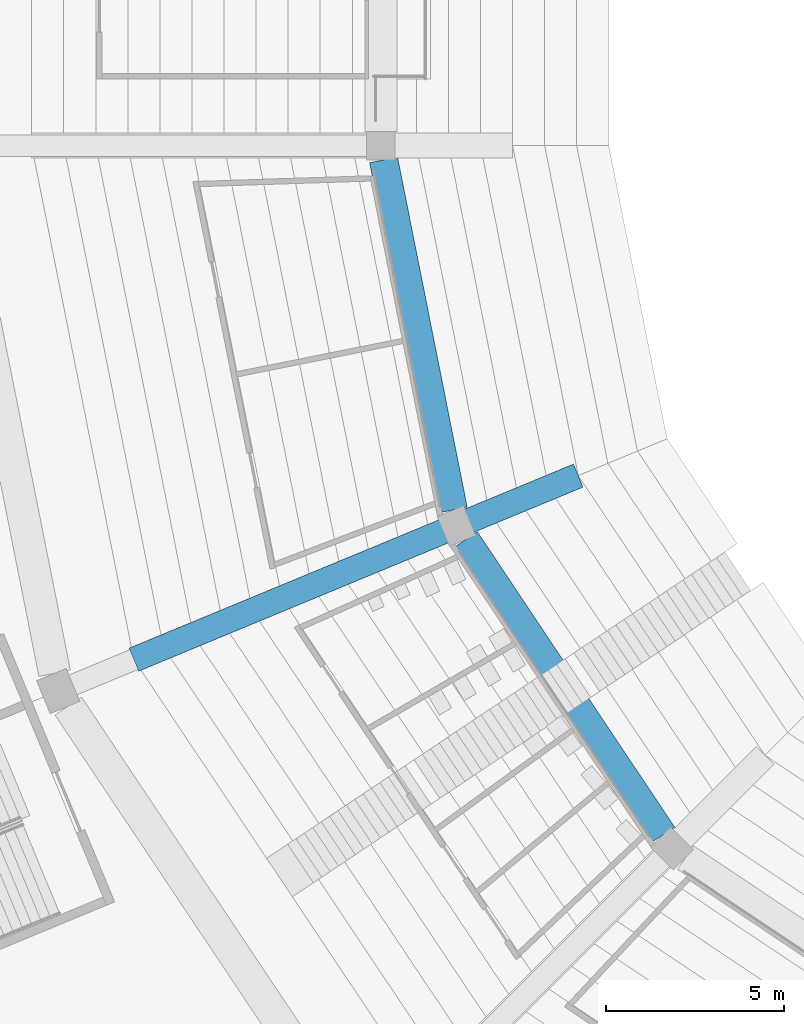
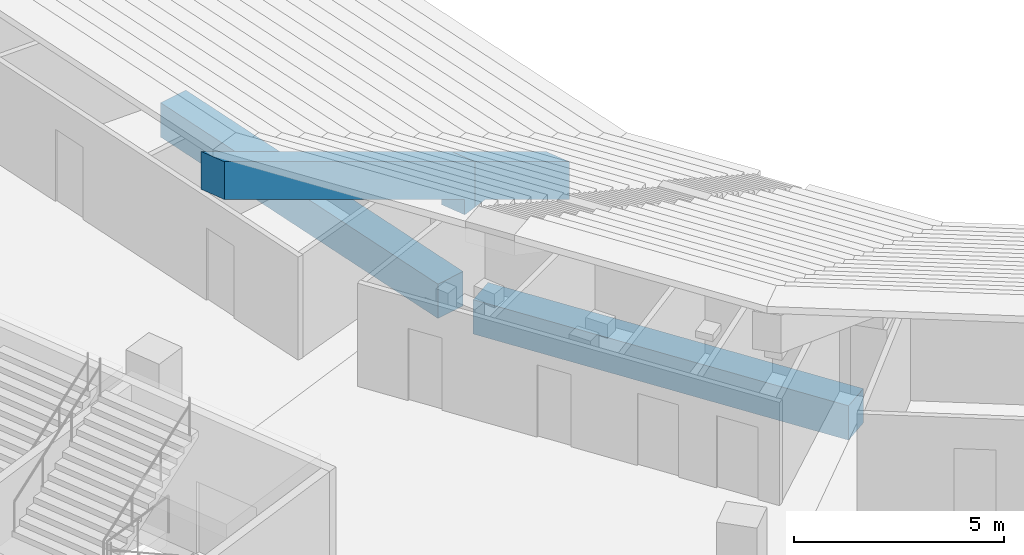
# One storey, part 9 of 249: 4 beams.
"""IFC4 building model written with IfcOpenShell, lengths in metres."""

from ifc_helpers import new_model, si_unit, direction, frame, origin, origin_2d, place, context, subcontext, project, spatial, polyline, rectangle, outline, extrude, material, material_profile, profile_set, type_object, element, save


model = new_model("IFC4")

# Units and contexts
model_context = context("Model", 3, precision=1e-05, world=origin(), true_north=direction((0.0, 1.0)))
body_context = subcontext(model_context, "Body", "Model", "MODEL_VIEW")
ifc_project = project(units=[si_unit("LENGTHUNIT", "METRE"), si_unit("AREAUNIT", "SQUARE_METRE"), si_unit("VOLUMEUNIT", "CUBIC_METRE"), si_unit("PLANEANGLEUNIT", "RADIAN"), si_unit("MASSUNIT", "GRAM", prefix="KILO")], contexts=[model_context])

# Site, building, storey
site_placement = place(None, origin())
site = spatial("IfcSite", under=ifc_project, at=site_placement, CompositionType="ELEMENT")
building_placement = place(site_placement, origin())
building = spatial("IfcBuilding", under=site, at=building_placement, Name="Ogive Plaza Stadium", CompositionType="ELEMENT")
storey_placement = place(building_placement, frame((0.0, 0.0, 13.5)))
storey = spatial("IfcBuildingStorey", under=building, at=storey_placement, Name="L03", CompositionType="ELEMENT", Elevation=13.5)

# Beams
ifc_material_1 = material(Name="Concrete C45/55 precast", Category="concrete")
ifc_material_profile_1 = material_profile(ifc_material_1, rectangle(XDim=0.699951171875, YDim=1.10009765625, at=origin_2d()), Name="RC 700x1100")
ifc_profile_set_1 = profile_set([ifc_material_profile_1], Name="Concrete C45/55 precast")
beam_type_1 = type_object("IfcBeamType", Name="Precast raker UT back-span 700x1100", PredefinedType="USERDEFINED", material=ifc_profile_set_1)
beam_1_placement = place(storey_placement, frame((-34.0, -52.5, -13.5), z_axis=(0.0, 0.0, 1.0), x_axis=(-0.923879532511, -0.382683432365, 0.0)))
element("IfcBeam", 1, at=beam_1_placement, inside=storey, type_object=beam_type_1, Name="RAKER UT BACK-SPAN R20", ObjectType="RAKER", PredefinedType="USERDEFINED", context=body_context, shape_type="SweptSolid", body=[
    extrude(outline(polyline([(27.89990234375, 15.533203125), (28.300048828125, 15.533203125), (28.300048828125, 15.977783203125), (37.699951171875, 21.199951171875), (37.699951171875, 22.300048828125), (27.89990234375, 16.855712890625), (27.89990234375, 15.533203125)])), frame((0.0, 0.35009765625, 0.0), z_axis=(0.0, -1.0, 0.0), x_axis=(1.0, 0.0, 0.0)), (0.0, 0.0, 1.0), 0.699951171875),
])
ifc_material_2 = material(Name="Concrete C45/55 precast", Category="concrete")
ifc_material_profile_2 = material_profile(ifc_material_2, rectangle(XDim=0.699951171875, YDim=1.10009765625, at=origin_2d()), Name="RC 700x1100")
ifc_profile_set_2 = profile_set([ifc_material_profile_2], Name="Concrete C45/55 precast")
beam_type_2 = type_object("IfcBeamType", Name="Precast raker UT cantilever 700x1100", PredefinedType="USERDEFINED", material=ifc_profile_set_2)
beam_2_placement = place(storey_placement, frame((-34.0, -52.5, -13.5), z_axis=(0.0, 0.0, 1.0), x_axis=(-0.923879532511, -0.382683432365, 0.0)))
element("IfcBeam", 2, at=beam_2_placement, inside=storey, type_object=beam_type_2, Name="RAKER UT CANTILEVER R20", ObjectType="RAKER", PredefinedType="USERDEFINED", context=body_context, shape_type="SweptSolid", body=[
    extrude(outline(polyline([(24.199951171875, 13.699951171875), (27.5, 15.533203125), (27.89990234375, 15.533203125), (27.89990234375, 16.855712890625), (24.199951171875, 14.800048828125), (24.199951171875, 13.699951171875)])), frame((0.0, 0.35009765625, 0.0), z_axis=(0.0, -1.0, 0.0), x_axis=(1.0, 0.0, 0.0)), (0.0, 0.0, 1.0), 0.699951171875),
])
ifc_material_3 = material(Name="Concrete C40/50", Category="concrete")
ifc_material_profile_3 = material_profile(ifc_material_3, rectangle(XDim=0.800048828125, YDim=1.0, at=origin_2d()), Name="RC 800x1000")
ifc_profile_set_3 = profile_set([ifc_material_profile_3], Name="Concrete C40/50")
beam_type_3 = type_object("IfcBeamType", Name="RC ring beam 800x1000", PredefinedType="BEAM", material=ifc_profile_set_3)
beam_3_placement = place(storey_placement, frame((-53.983154296875, -71.8466796875, -0.909912109375), z_axis=(-0.555570290949, 0.831469573595, 0.0), x_axis=(-0.831469573595, -0.555570290949, 0.0)))
element("IfcBeam", 3, at=beam_3_placement, inside=storey, type_object=beam_type_3, Name="Ring beam F3 L03 B19", PredefinedType="BEAM", context=body_context, shape_type="SweptSolid", body=[
    extrude(rectangle(XDim=0.800048828125, YDim=1.0, at=origin_2d()), origin(), (0.0, 0.0, 1.0), 9.96826171875),
])
beam_4_placement = place(storey_placement, frame((-59.86572265625, -62.726806640625, -0.909912109375), z_axis=(-0.195103876937, 0.980782584064, 0.0), x_axis=(-0.980782584064, -0.195103876937, 0.0)))
element("IfcBeam", 4, at=beam_4_placement, inside=storey, type_object=beam_type_3, Name="Ring beam F3 L03 B20", PredefinedType="BEAM", context=body_context, shape_type="SweptSolid", body=[
    extrude(rectangle(XDim=0.800048828125, YDim=1.0, at=origin_2d()), origin(), (0.0, 0.0, 1.0), 10.01953125),
])

save(model, "model.ifc")
